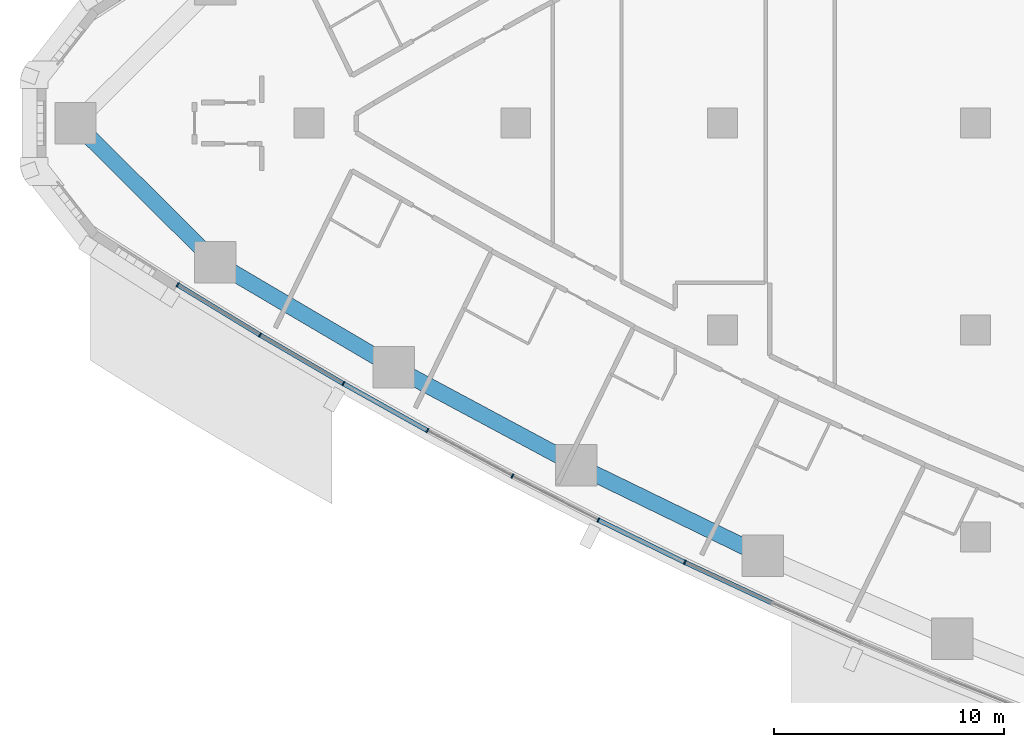
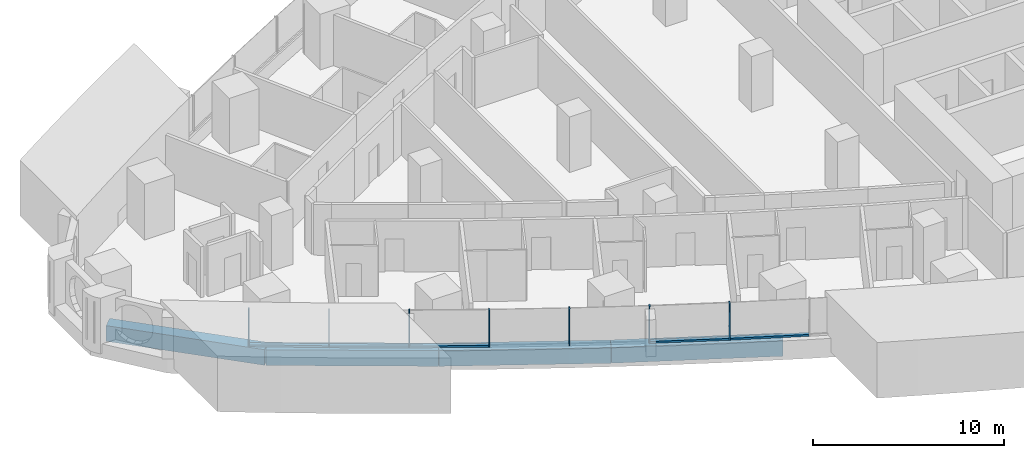
# One storey, part 2 of 19: 12 members, 4 beams, 3 elements without a shape of their own.
"""IFC4 building model written with IfcOpenShell, lengths in metres."""

from ifc_helpers import new_model, si_unit, direction, frame, origin, origin_2d, place, context, subcontext, project, spatial, rectangle, extrude, material, layer, layer_set, material_profile, profile_set, type_object, element, aggregate, save


model = new_model("IFC4")

# Units and contexts
model_context = context("Model", 3, precision=1e-05, world=origin(), true_north=direction((0.0, 1.0)))
body_context = subcontext(model_context, "Body", "Model", "MODEL_VIEW")
ifc_project = project(units=[si_unit("LENGTHUNIT", "METRE"), si_unit("AREAUNIT", "SQUARE_METRE"), si_unit("VOLUMEUNIT", "CUBIC_METRE"), si_unit("PLANEANGLEUNIT", "RADIAN"), si_unit("MASSUNIT", "GRAM", prefix="KILO")], contexts=[model_context])

# Site, building, storey
site_placement = place(None, origin())
site = spatial("IfcSite", under=ifc_project, at=site_placement, CompositionType="ELEMENT")
building_placement = place(site_placement, origin())
building = spatial("IfcBuilding", under=site, at=building_placement, Name="Ostrand Prow Hotel Tower", CompositionType="ELEMENT")
storey_placement = place(building_placement, frame((0.0, 0.0, 68.0)))
storey = spatial("IfcBuildingStorey", under=building, at=storey_placement, Name="L15", CompositionType="ELEMENT", Elevation=68.0)

# Beams
ifc_material_1 = material(Name="Concrete C80/95", Category="concrete")
ifc_material_profile_1 = material_profile(ifc_material_1, rectangle(XDim=0.699951171875, YDim=1.0, at=origin_2d()), Name="RC 700x1000")
ifc_profile_set_1 = profile_set([ifc_material_profile_1], Name="Concrete C80/95")
beam_type = type_object("IfcBeamType", Name="Edge beam 700x1000 C80/95", PredefinedType="SPANDREL", material=ifc_profile_set_1)
beam_1_placement = place(storey_placement, frame((5.848388671875, 0.0, -0.800048828125), z_axis=(0.709211674915, -0.70499560294, 0.0), x_axis=(0.70499560294, 0.709211674915, 0.0)))
element("IfcBeam", 1, at=beam_1_placement, inside=storey, type_object=beam_type, Name="Edge beam P-S1", PredefinedType="SPANDREL", context=body_context, shape_type="SweptSolid", body=[
    extrude(rectangle(XDim=0.699951171875, YDim=1.0, at=origin_2d()), origin(), (0.0, 0.0, 1.0), 8.5703125),
])
beam_2_placement = place(storey_placement, frame((11.926513671875, -6.0419921875, -0.800048828125), z_axis=(0.861725230108, -0.507375233722, 0.0), x_axis=(0.507375233722, 0.861725230108, 0.0)))
element("IfcBeam", 2, at=beam_2_placement, inside=storey, type_object=beam_type, Name="Edge beam S1-S2", PredefinedType="SPANDREL", context=body_context, shape_type="SweptSolid", body=[
    extrude(rectangle(XDim=0.699951171875, YDim=1.0, at=origin_2d()), origin(), (0.0, 0.0, 1.0), 9.012451171875),
])
beam_3_placement = place(storey_placement, frame((19.69287109375, -10.61474609375, -0.800048828125), z_axis=(0.881270074696, -0.472613008122, 0.0), x_axis=(0.472613008122, 0.881270074696, 0.0)))
element("IfcBeam", 3, at=beam_3_placement, inside=storey, type_object=beam_type, Name="Edge beam S2-S3", PredefinedType="SPANDREL", context=body_context, shape_type="SweptSolid", body=[
    extrude(rectangle(XDim=0.699951171875, YDim=1.0, at=origin_2d()), origin(), (0.0, 0.0, 1.0), 9.0126953125),
])
beam_4_placement = place(storey_placement, frame((27.635498046875, -14.874267578125, -0.800048828125), z_axis=(0.899382499202, -0.437162578601, 0.0), x_axis=(0.437162578601, 0.899382499202, 0.0)))
element("IfcBeam", 4, at=beam_4_placement, inside=storey, type_object=beam_type, Name="Edge beam S3-S4", PredefinedType="SPANDREL", context=body_context, shape_type="SweptSolid", body=[
    extrude(rectangle(XDim=0.699951171875, YDim=1.0, at=origin_2d()), origin(), (0.0, 0.0, 1.0), 9.012451171875),
])

# Curtain wall, members
ifc_material_2 = material(Name="Insulated glass in bronze anodised frame", Category="glass")
ifc_layer = layer(ifc_material_2, 0.199951171875)
ifc_layer_set = layer_set([ifc_layer], Name="Insulated glass in bronze anodised frame")
curtain_wall_type = type_object("IfcCurtainWallType", Name="Strip curtain wall, fritted glass over bronze spandrel", PredefinedType="NOTDEFINED", material=ifc_layer_set)
curtain_wall_1_placement = place(storey_placement, origin())
curtain_wall_1 = element("IfcCurtainWall", 5, at=curtain_wall_1_placement, inside=storey, type_object=curtain_wall_type, Name="CW1 run CWS1", PredefinedType="NOTDEFINED")
ifc_material_3 = material(Name="Bronze anodised aluminium", Category="aluminium")
ifc_material_profile_2 = material_profile(ifc_material_3, rectangle(XDim=0.199951171875, YDim=0.06005859375, at=origin_2d()), Name="Mullion 60x200 bronze anodised aluminium")
ifc_profile_set_2 = profile_set([ifc_material_profile_2], Name="Bronze anodised aluminium")
member_type_1 = type_object("IfcMemberType", Name="Mullion 60x200 bronze anodised aluminium", PredefinedType="MULLION", material=ifc_profile_set_2)
member_1_placement = place(storey_placement, frame((10.29443359375, -7.031494140625, 0.89990234375), z_axis=(0.0, 0.0, 1.0), x_axis=(0.519830761515, 0.854269266322, 0.0)))
member_1 = element("IfcMember", 6, at=member_1_placement, type_object=member_type_1, Name="CW1 mullion 1", PredefinedType="MULLION", context=body_context, shape_type="SweptSolid", body=[
    extrude(rectangle(XDim=0.199951171875, YDim=0.06005859375, at=origin_2d()), origin(), (0.0, 0.0, 1.0), 2.35009765625),
])
member_2_placement = place(storey_placement, frame((13.87744140625, -9.2119140625, 0.89990234375), z_axis=(0.0, 0.0, 1.0), x_axis=(0.50402272292, 0.863690392896, 0.0)))
member_2 = element("IfcMember", 7, at=member_2_placement, type_object=member_type_1, Name="CW1 mullion 2", PredefinedType="MULLION", context=body_context, shape_type="SweptSolid", body=[
    extrude(rectangle(XDim=0.199951171875, YDim=0.06005859375, at=origin_2d()), origin(), (0.0, 0.0, 1.0), 2.35009765625),
])
member_3_placement = place(storey_placement, frame((17.5, -11.325927734375, 0.89990234375), z_axis=(0.0, 0.0, 1.0), x_axis=(0.50402272292, 0.863690392896, 0.0)))
member_3 = element("IfcMember", 8, at=member_3_placement, type_object=member_type_1, Name="CW1 mullion 3", PredefinedType="MULLION", context=body_context, shape_type="SweptSolid", body=[
    extrude(rectangle(XDim=0.199951171875, YDim=0.06005859375, at=origin_2d()), origin(), (0.0, 0.0, 1.0), 2.35009765625),
])

curtain_wall_2_placement = place(storey_placement, origin())
curtain_wall_2 = element("IfcCurtainWall", 9, at=curtain_wall_2_placement, inside=storey, type_object=curtain_wall_type, Name="CW1 run CWS2", PredefinedType="NOTDEFINED")
member_4_placement = place(storey_placement, frame((21.160888671875, -13.372802734375, 0.89990234375), z_axis=(0.0, 0.0, 1.0), x_axis=(0.471899992481, 0.881652083929, 0.0)))
member_4 = element("IfcMember", 10, at=member_4_placement, type_object=member_type_1, Name="CW1 mullion 2", PredefinedType="MULLION", context=body_context, shape_type="SweptSolid", body=[
    extrude(rectangle(XDim=0.199951171875, YDim=0.06005859375, at=origin_2d()), origin(), (0.0, 0.0, 1.0), 2.35009765625),
])
member_5_placement = place(storey_placement, frame((24.858642578125, -15.35205078125, 0.89990234375), z_axis=(0.0, 0.0, 1.0), x_axis=(0.455596179055, 0.890186565631, 0.0)))
member_5 = element("IfcMember", 11, at=member_5_placement, type_object=member_type_1, Name="CW1 mullion 3", PredefinedType="MULLION", context=body_context, shape_type="SweptSolid", body=[
    extrude(rectangle(XDim=0.199951171875, YDim=0.06005859375, at=origin_2d()), origin(), (0.0, 0.0, 1.0), 2.35009765625),
])
member_6_placement = place(storey_placement, frame((28.59228515625, -17.262939453125, 0.89990234375), z_axis=(0.0, 0.0, 1.0), x_axis=(0.455596179055, 0.890186565631, 0.0)))
member_6 = element("IfcMember", 12, at=member_6_placement, type_object=member_type_1, Name="CW1 mullion 4", PredefinedType="MULLION", context=body_context, shape_type="SweptSolid", body=[
    extrude(rectangle(XDim=0.199951171875, YDim=0.06005859375, at=origin_2d()), origin(), (0.0, 0.0, 1.0), 2.35009765625),
])

# Curtain wall, member
curtain_wall_3_placement = place(storey_placement, origin())
curtain_wall_3 = element("IfcCurtainWall", 13, at=curtain_wall_3_placement, inside=storey, type_object=curtain_wall_type, Name="CW1 run CWS3", PredefinedType="NOTDEFINED")
member_7_placement = place(storey_placement, frame((32.360595703125, -19.10498046875, 0.89990234375), z_axis=(0.0, 0.0, 1.0), x_axis=(0.422529678615, 0.906349088757, 0.0)))
member_7 = element("IfcMember", 14, at=member_7_placement, type_object=member_type_1, Name="CW1 mullion 2", PredefinedType="MULLION", context=body_context, shape_type="SweptSolid", body=[
    extrude(rectangle(XDim=0.199951171875, YDim=0.06005859375, at=origin_2d()), origin(), (0.0, 0.0, 1.0), 2.35009765625),
])

# Member
ifc_material_4 = material(Name="Bronze anodised aluminium", Category="aluminium")
ifc_material_profile_3 = material_profile(ifc_material_4, rectangle(XDim=0.199951171875, YDim=0.1201171875, at=origin_2d()), Name="Transom 120x200 bronze anodised aluminium")
ifc_profile_set_3 = profile_set([ifc_material_profile_3], Name="Bronze anodised aluminium")
member_type_2 = type_object("IfcMemberType", Name="Transom 120x200 bronze anodised aluminium", PredefinedType="USERDEFINED", material=ifc_profile_set_3)
member_8_placement = place(storey_placement, frame((10.320068359375, -7.047119140625, 0.9599609375), z_axis=(0.8542612678, -0.519843905741, 0.0), x_axis=(0.519843905741, 0.8542612678, 0.0)))
member_8 = element("IfcMember", 15, at=member_8_placement, type_object=member_type_2, Name="CW1 transom 1.1", ObjectType="TRANSOM", PredefinedType="USERDEFINED", context=body_context, shape_type="SweptSolid", body=[
    extrude(rectangle(XDim=0.199951171875, YDim=0.1201171875, at=origin_2d()), origin(), (0.0, 0.0, 1.0), 4.13427734375),
])

member_9_placement = place(storey_placement, frame((13.9033203125, -9.22705078125, 0.9599609375), z_axis=(0.863697501622, -0.504010541251, 0.0), x_axis=(0.504010541251, 0.863697501622, 0.0)))
member_9 = element("IfcMember", 16, at=member_9_placement, type_object=member_type_2, Name="CW1 transom 2.1", ObjectType="TRANSOM", PredefinedType="USERDEFINED", context=body_context, shape_type="SweptSolid", body=[
    extrude(rectangle(XDim=0.199951171875, YDim=0.1201171875, at=origin_2d()), origin(), (0.0, 0.0, 1.0), 4.13427734375),
])

aggregate(curtain_wall_1, [member_1, member_2, member_3, member_8, member_9])

member_10_placement = place(storey_placement, frame((17.526123046875, -11.340576171875, 0.9599609375), z_axis=(0.872842137405, -0.488002667175, 0.0), x_axis=(0.488002667175, 0.872842137405, 0.0)))
member_10 = element("IfcMember", 17, at=member_10_placement, type_object=member_type_2, Name="CW1 transom 1.1", ObjectType="TRANSOM", PredefinedType="USERDEFINED", context=body_context, shape_type="SweptSolid", body=[
    extrude(rectangle(XDim=0.199951171875, YDim=0.1201171875, at=origin_2d()), origin(), (0.0, 0.0, 1.0), 4.13427734375),
])

aggregate(curtain_wall_2, [member_4, member_5, member_6, member_10])

member_11_placement = place(storey_placement, frame((28.619384765625, -17.276123046875, 0.9599609375), z_axis=(0.898395234758, -0.439187889364, 0.0), x_axis=(0.439187889364, 0.898395234758, 0.0)))
member_11 = element("IfcMember", 18, at=member_11_placement, type_object=member_type_2, Name="CW1 transom 1.1", ObjectType="TRANSOM", PredefinedType="USERDEFINED", context=body_context, shape_type="SweptSolid", body=[
    extrude(rectangle(XDim=0.199951171875, YDim=0.1201171875, at=origin_2d()), origin(), (0.0, 0.0, 1.0), 4.13427734375),
])

member_12_placement = place(storey_placement, frame((32.3876953125, -19.117431640625, 0.9599609375), z_axis=(0.906338458793, -0.422552479714, 0.0), x_axis=(0.422552479714, 0.906338458793, 0.0)))
member_12 = element("IfcMember", 19, at=member_12_placement, type_object=member_type_2, Name="CW1 transom 2.1", ObjectType="TRANSOM", PredefinedType="USERDEFINED", context=body_context, shape_type="SweptSolid", body=[
    extrude(rectangle(XDim=0.199951171875, YDim=0.1201171875, at=origin_2d()), origin(), (0.0, 0.0, 1.0), 4.134521484375),
])

aggregate(curtain_wall_3, [member_7, member_11, member_12])

save(model, "model.ifc")
